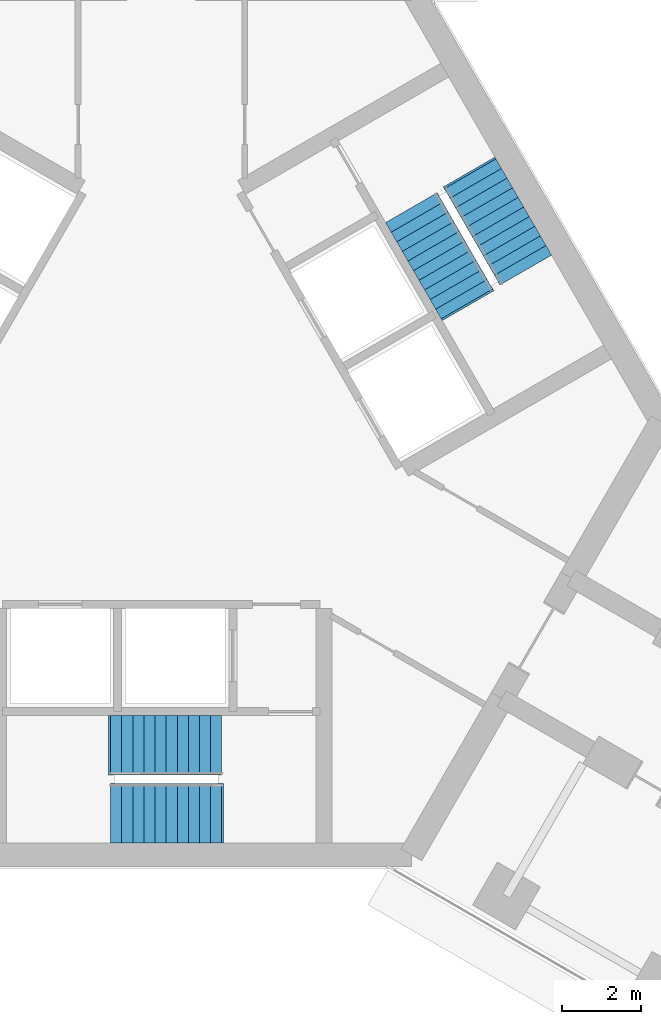
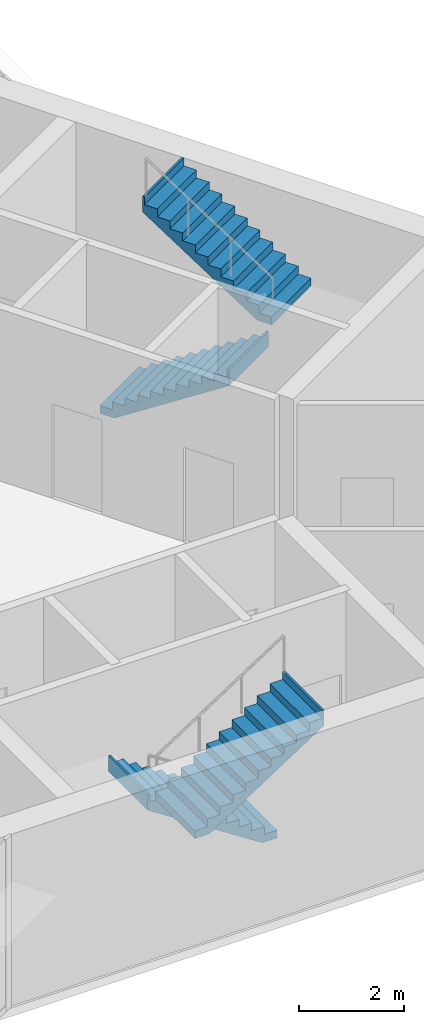
# One storey, part 22 of 23: 4 stair flights, 2 elements without a shape of their own.
"""IFC4 building model written with IfcOpenShell, lengths in metres."""

from ifc_helpers import new_model, si_unit, direction, frame, origin, place, context, subcontext, project, spatial, polyline, outline, extrude, material, type_object, element, aggregate, save


model = new_model("IFC4")

# Units and contexts
model_context = context("Model", 3, precision=1e-05, world=origin(), true_north=direction((0.0, 1.0)))
body_context = subcontext(model_context, "Body", "Model", "MODEL_VIEW")
ifc_project = project(units=[si_unit("LENGTHUNIT", "METRE"), si_unit("AREAUNIT", "SQUARE_METRE"), si_unit("VOLUMEUNIT", "CUBIC_METRE"), si_unit("PLANEANGLEUNIT", "RADIAN"), si_unit("MASSUNIT", "GRAM", prefix="KILO")], contexts=[model_context])

# Site, building, storey
site_placement = place(None, origin())
site = spatial("IfcSite", under=ifc_project, at=site_placement, CompositionType="ELEMENT")
building_placement = place(site_placement, origin())
building = spatial("IfcBuilding", under=site, at=building_placement, Name="Upepo Twin Towers", CompositionType="ELEMENT")
storey_placement = place(building_placement, frame((0.0, 0.0, 157.5)))
storey = spatial("IfcBuildingStorey", under=building, at=storey_placement, Name="L38", CompositionType="ELEMENT", Elevation=157.5)

# Stair, stair flights
ifc_material_1 = material(Name="Concrete C40/50", Category="concrete")
stair_type = type_object("IfcStairType", Name="Core stair, two flights", PredefinedType="HALF_TURN_STAIR", material=ifc_material_1)
stair_1_placement = place(storey_placement, origin())
stair_1 = element("IfcStair", 1, at=stair_1_placement, inside=storey, type_object=stair_type, Name="T2 stair S1 L38", PredefinedType="HALF_TURN_STAIR")
ifc_material_2 = material(Name="Concrete C40/50", Category="concrete")
stair_flight_type = type_object("IfcStairFlightType", Name="Stair flight 1500 RC", PredefinedType="STRAIGHT", material=ifc_material_2)
stair_flight_1_placement = place(storey_placement, frame((60.02001953125, -26.14990234375, 0.0), z_axis=(0.0, 0.0, 1.0), x_axis=(-1.0, 0.0, 0.0)))
stair_flight_1 = element("IfcStairFlight", 2, at=stair_flight_1_placement, type_object=stair_flight_type, Name="Stair S1 flight 1", NumberOfRisers=11, NumberOfTreads=10, PredefinedType="STRAIGHT", RiserHeight=0.181818182, TreadLength=0.28, context=body_context, shape_type="SweptSolid", body=[
    extrude(outline(polyline([(0.0, 0.0), (0.0, 0.181884765625), (0.280029296875, 0.181884765625), (0.280029296875, 0.363525390625), (0.56005859375, 0.363525390625), (0.56005859375, 0.54541015625), (0.840087890625, 0.54541015625), (0.840087890625, 0.727294921875), (1.1201171875, 0.727294921875), (1.1201171875, 0.9091796875), (1.39990234375, 0.9091796875), (1.39990234375, 1.0908203125), (1.679931640625, 1.0908203125), (1.679931640625, 1.272705078125), (1.9599609375, 1.272705078125), (1.9599609375, 1.45458984375), (2.239990234375, 1.45458984375), (2.239990234375, 1.636474609375), (2.52001953125, 1.636474609375), (2.52001953125, 1.818115234375), (2.800048828125, 1.818115234375), (2.800048828125, 2.0), (2.85009765625, 2.0), (2.85009765625, 1.639404296875), (0.3251953125, 0.0), (0.0, 0.0)])), frame((0.0, 0.75, 0.0), z_axis=(0.0, -1.0, 0.0), x_axis=(1.0, 0.0, 0.0)), (0.0, 0.0, 1.0), 1.5),
])
stair_flight_2_placement = place(storey_placement, frame((57.219970703125, -27.8583984375, 2.0), z_axis=(0.0, 0.0, 1.0), x_axis=(1.0, 0.0, 0.0)))
stair_flight_2 = element("IfcStairFlight", 3, at=stair_flight_2_placement, type_object=stair_flight_type, Name="Stair S1 flight 2", NumberOfRisers=11, NumberOfTreads=10, PredefinedType="STRAIGHT", RiserHeight=0.181818182, TreadLength=0.28, context=body_context, shape_type="SweptSolid", body=[
    extrude(outline(polyline([(0.0, 0.0), (0.0, 0.181884765625), (0.280029296875, 0.181884765625), (0.280029296875, 0.363525390625), (0.56005859375, 0.363525390625), (0.56005859375, 0.54541015625), (0.840087890625, 0.54541015625), (0.840087890625, 0.727294921875), (1.1201171875, 0.727294921875), (1.1201171875, 0.9091796875), (1.39990234375, 0.9091796875), (1.39990234375, 1.0908203125), (1.679931640625, 1.0908203125), (1.679931640625, 1.272705078125), (1.9599609375, 1.272705078125), (1.9599609375, 1.45458984375), (2.239990234375, 1.45458984375), (2.239990234375, 1.636474609375), (2.52001953125, 1.636474609375), (2.52001953125, 1.818115234375), (2.800048828125, 1.818115234375), (2.800048828125, 2.0), (2.85009765625, 2.0), (2.85009765625, 1.639404296875), (0.3251953125, 0.0), (0.0, 0.0)])), frame((0.0, 0.75, 0.0), z_axis=(0.0, -1.0, 0.0), x_axis=(1.0, 0.0, 0.0)), (0.0, 0.0, 1.0), 1.5),
])
aggregate(stair_1, [stair_flight_1, stair_flight_2])

stair_2_placement = place(storey_placement, origin())
stair_2 = element("IfcStair", 4, at=stair_2_placement, inside=storey, type_object=stair_type, Name="T2 stair S2 L38", PredefinedType="HALF_TURN_STAIR")
stair_flight_3_placement = place(storey_placement, frame((64.798095703125, -12.608642578125, 0.0), z_axis=(0.0, 0.0, 1.0), x_axis=(0.5, -0.866025403784, 0.0)))
stair_flight_3 = element("IfcStairFlight", 5, at=stair_flight_3_placement, type_object=stair_flight_type, Name="Stair S2 flight 1", NumberOfRisers=11, NumberOfTreads=10, PredefinedType="STRAIGHT", RiserHeight=0.181818182, TreadLength=0.28, context=body_context, shape_type="SweptSolid", body=[
    extrude(outline(polyline([(0.0, 0.0), (0.0, 0.181884765625), (0.280029296875, 0.181884765625), (0.280029296875, 0.363525390625), (0.56005859375, 0.363525390625), (0.56005859375, 0.54541015625), (0.840087890625, 0.54541015625), (0.840087890625, 0.727294921875), (1.1201171875, 0.727294921875), (1.1201171875, 0.9091796875), (1.39990234375, 0.9091796875), (1.39990234375, 1.0908203125), (1.679931640625, 1.0908203125), (1.679931640625, 1.272705078125), (1.9599609375, 1.272705078125), (1.9599609375, 1.45458984375), (2.239990234375, 1.45458984375), (2.239990234375, 1.636474609375), (2.52001953125, 1.636474609375), (2.52001953125, 1.818115234375), (2.800048828125, 1.818115234375), (2.800048828125, 2.0), (2.85009765625, 2.0), (2.85009765625, 1.639404296875), (0.3251953125, 0.0), (0.0, 0.0)])), frame((0.0, 0.75, 0.0), z_axis=(0.0, -1.0, 0.0), x_axis=(1.0, 0.0, 0.0)), (0.0, 0.0, 1.0), 1.5),
])
stair_flight_4_placement = place(storey_placement, frame((67.677490234375, -14.179443359375, 2.0), z_axis=(0.0, 0.0, 1.0), x_axis=(-0.5, 0.866025403784, 0.0)))
stair_flight_4 = element("IfcStairFlight", 6, at=stair_flight_4_placement, type_object=stair_flight_type, Name="Stair S2 flight 2", NumberOfRisers=11, NumberOfTreads=10, PredefinedType="STRAIGHT", RiserHeight=0.181818182, TreadLength=0.28, context=body_context, shape_type="SweptSolid", body=[
    extrude(outline(polyline([(0.0, 0.0), (0.0, 0.181884765625), (0.280029296875, 0.181884765625), (0.280029296875, 0.363525390625), (0.56005859375, 0.363525390625), (0.56005859375, 0.54541015625), (0.840087890625, 0.54541015625), (0.840087890625, 0.727294921875), (1.1201171875, 0.727294921875), (1.1201171875, 0.9091796875), (1.39990234375, 0.9091796875), (1.39990234375, 1.0908203125), (1.679931640625, 1.0908203125), (1.679931640625, 1.272705078125), (1.9599609375, 1.272705078125), (1.9599609375, 1.45458984375), (2.239990234375, 1.45458984375), (2.239990234375, 1.636474609375), (2.52001953125, 1.636474609375), (2.52001953125, 1.818115234375), (2.800048828125, 1.818115234375), (2.800048828125, 2.0), (2.85009765625, 2.0), (2.85009765625, 1.639404296875), (0.3251953125, 0.0), (0.0, 0.0)])), frame((0.0, 0.75, 0.0), z_axis=(0.0, -1.0, 0.0), x_axis=(1.0, 0.0, 0.0)), (0.0, 0.0, 1.0), 1.5),
])
aggregate(stair_2, [stair_flight_3, stair_flight_4])

save(model, "model.ifc")
